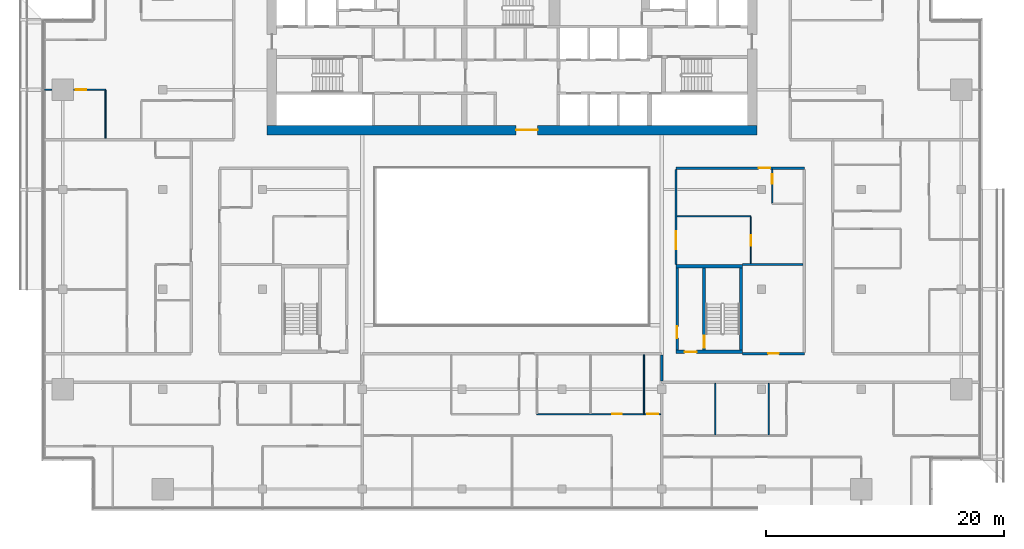
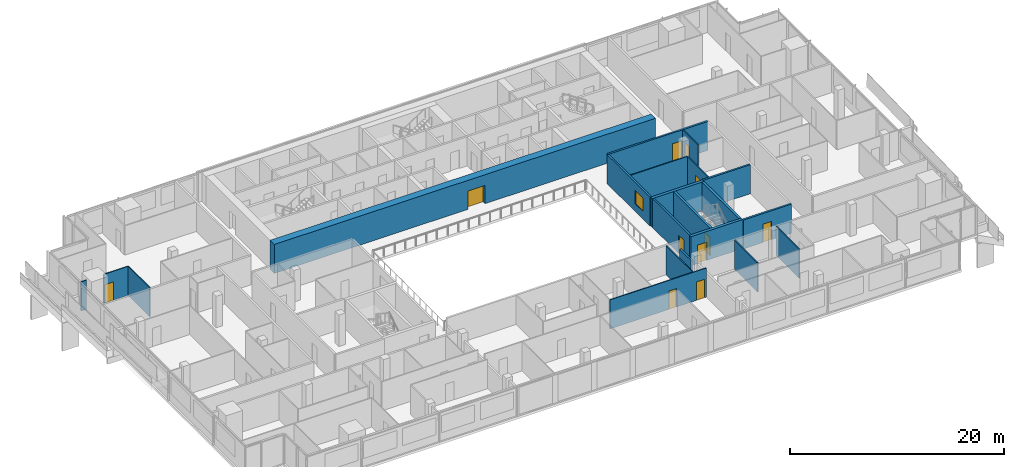
# One storey, part 18 of 27: 21 walls, 11 doors, 1 window, 12 openings.
"""IFC4 building model written with IfcOpenShell, lengths in metres."""

import ifcopenshell
import ifcopenshell.guid

model = None  # the IFC model being written
_history = None  # IfcOwnerHistory: only IFC2X3 demands one
_inside = {}  # id of a spatial element -> (the spatial element, [elements in it])
_under = {}  # id of a project, library or spatial element -> (it, [spatial elements below it])
_declared = {}  # id of a project -> (the project, [libraries it declares])
_typed = {}  # id of a type object -> (the type object, [elements of that type])
_made_of = {}  # id of a material, layer set ... -> (it, [elements and type objects made of it])


def new_model(schema):
    """Start an empty IFC model of exactly this schema.

    Asked for "IFC4X3", IfcOpenShell would pick the latest addendum, in which some entities
    have other attributes; the version numbers below select the first issue.
    IFC2X3 requires an IfcOwnerHistory on every rooted entity: one is made here for all.
    """
    global model, _history
    if schema == "IFC4X3":
        model = ifcopenshell.file(schema_version=(4, 3, 0, 0))
    else:
        model = ifcopenshell.file(schema=schema)
    _inside.clear()
    _under.clear()
    _declared.clear()
    _typed.clear()
    _made_of.clear()
    _history = None
    if model.schema == "IFC2X3":
        org = make("IfcOrganization", Name="unknown")
        user = make(
            "IfcPersonAndOrganization",
            ThePerson=make("IfcPerson", FamilyName="unknown"),
            TheOrganization=org,
        )
        app = make(
            "IfcApplication",
            ApplicationDeveloper=org,
            Version="unknown",
            ApplicationFullName="unknown",
            ApplicationIdentifier="unknown",
        )
        _history = make(
            "IfcOwnerHistory",
            OwningUser=user,
            OwningApplication=app,
            ChangeAction="ADDED",
            CreationDate=0,
        )
    return model


def make(cls, **values):
    """One entity of the class cls with the attributes given. An attribute that is None is left unset."""
    return model.create_entity(
        cls, **{name: value for name, value in values.items() if value is not None}
    )


def rooted(cls, **values):
    """An entity with a GlobalId (a new one), such as an element, a storey or a relation."""
    return make(cls, GlobalId=ifcopenshell.guid.new(), OwnerHistory=_history, **values)


def si_unit(unit_type, name, prefix=None):
    """IfcSIUnit, for example si_unit("LENGTHUNIT", "METRE", prefix="MILLI")."""
    return make("IfcSIUnit", UnitType=unit_type, Prefix=prefix, Name=name)


def assignment(units):
    """IfcUnitAssignment: the units of a project."""
    return None if units is None else make("IfcUnitAssignment", Units=units)


def point(xyz):
    """IfcCartesianPoint."""
    return None if xyz is None else make("IfcCartesianPoint", Coordinates=xyz)


def direction(xyz):
    """IfcDirection."""
    return None if xyz is None else make("IfcDirection", DirectionRatios=xyz)


def frame(location, z_axis=None, x_axis=None):
    """IfcAxis2Placement3D, a coordinate frame: its origin and axes. An axis left out is left unset."""
    return make(
        "IfcAxis2Placement3D",
        Location=point(location),
        Axis=direction(z_axis),
        RefDirection=direction(x_axis),
    )


def frame_2d(location, x_axis=None):
    """IfcAxis2Placement2D, a coordinate frame in the plane: its origin and x axis."""
    return make(
        "IfcAxis2Placement2D", Location=point(location), RefDirection=direction(x_axis)
    )


def origin():
    """The frame at (0, 0, 0) with its axes left unset."""
    return frame((0.0, 0.0, 0.0))


def place(relative_to, where):
    """IfcLocalPlacement: puts the frame where relative to a parent placement (None: the world)."""
    return make(
        "IfcLocalPlacement", PlacementRelTo=relative_to, RelativePlacement=where
    )


def context(
    kind, dimensions, precision=None, world=None, true_north=None, identifier=None
):
    """IfcGeometricRepresentationContext, for example the 3D "Model" context."""
    return make(
        "IfcGeometricRepresentationContext",
        ContextIdentifier=identifier,
        ContextType=kind,
        CoordinateSpaceDimension=dimensions,
        Precision=precision,
        WorldCoordinateSystem=world,
        TrueNorth=true_north,
    )


def subcontext(parent, identifier, kind, view, scale=None):
    """IfcGeometricRepresentationSubContext, for example "Body" below "Model"."""
    return make(
        "IfcGeometricRepresentationSubContext",
        ContextIdentifier=identifier,
        ContextType=kind,
        ParentContext=parent,
        TargetScale=scale,
        TargetView=view,
    )


def project(units=None, contexts=None):
    """IfcProject with its units and contexts."""
    return rooted(
        "IfcProject",
        Name="project",
        RepresentationContexts=contexts,
        UnitsInContext=assignment(units),
    )


def spatial(cls, under=None, at=None, **own):
    """A site, building, storey or space (cls), placed at a placement, below another one or the project."""
    s = rooted(cls, ObjectPlacement=at, **own)
    if under is not None:
        _under.setdefault(under.id(), (under, []))[1].append(s)
    return s


def profile(cls, at=None, kind="AREA", **sizes):
    """A parametric profile (cls). Its sizes go by their IFC names, for example OverallWidth=200.0."""
    return make(cls, ProfileType=kind, Position=at, **sizes)


def rectangle(**sizes):
    """IfcRectangleProfileDef."""
    return profile("IfcRectangleProfileDef", **sizes)


def extrude(swept, where, along, depth):
    """IfcExtrudedAreaSolid: the profile swept, set in the frame where, extruded along a direction by depth."""
    return make(
        "IfcExtrudedAreaSolid",
        SweptArea=swept,
        Position=where,
        ExtrudedDirection=direction(along),
        Depth=depth,
    )


def shape(context_of_items, identifier, shape_type, items):
    """IfcShapeRepresentation: the items that make up one representation, for example the "Body"."""
    return make(
        "IfcShapeRepresentation",
        ContextOfItems=context_of_items,
        RepresentationIdentifier=identifier,
        RepresentationType=shape_type,
        Items=items,
    )


def material(Name=None, Category=None):
    """IfcMaterial."""
    return make("IfcMaterial", Name=Name, Category=Category)


def layer(
    of_material, thickness, ventilated=None, Name=None, Category=None, Priority=None
):
    """IfcMaterialLayer: one layer of a wall or slab, of a material (None: an air gap)."""
    return make(
        "IfcMaterialLayer",
        Material=of_material,
        LayerThickness=thickness,
        IsVentilated=ventilated,
        Name=Name,
        Category=Category,
        Priority=Priority,
    )


def layer_set(layers, Name=None):
    """IfcMaterialLayerSet."""
    return make("IfcMaterialLayerSet", MaterialLayers=layers, LayerSetName=Name)


def made_of(thing, what):
    """Note that an element or type object is made of a material, layer set ...; save() writes the relation."""
    if what is not None:
        _made_of.setdefault(what.id(), (what, []))[1].append(thing)
    return thing


def type_object(cls, material=None, **own):
    """A type object (cls), such as IfcWallType, which elements share."""
    return made_of(rooted(cls, **own), material)


def element(
    cls,
    number,
    at=None,
    inside=None,
    cuts=None,
    type_object=None,
    material=None,
    context=None,
    identifier="Body",
    shape_type=None,
    held_by="IfcProductDefinitionShape",
    body=None,
    shapes=None,
    **own,
):
    """One element of the class cls, such as IfcWall. Its Tag is "e" and its number.

    at: its placement. inside: the storey or other place that contains it. cuts: it is an
    opening in that element (IfcRelVoidsElement). A single representation is given by context,
    identifier, shape_type and body (its items); several are given by shapes. held_by: the class
    of the entity that holds the representations. save() writes the other relations.
    """
    e = rooted(cls, Tag="e%d" % number, ObjectPlacement=at, **own)
    if body is not None:
        shapes = [shape(context, identifier, shape_type, body)]
    if shapes is not None:
        e.Representation = make(held_by, Representations=shapes)
    if inside is not None:
        _inside.setdefault(inside.id(), (inside, []))[1].append(e)
    if cuts is not None:
        rooted(
            "IfcRelVoidsElement", RelatingBuildingElement=cuts, RelatedOpeningElement=e
        )
    if type_object is not None:
        _typed.setdefault(type_object.id(), (type_object, []))[1].append(e)
    return made_of(e, material)


def fill(opening, filler):
    """IfcRelFillsElement: the door or window that sits in an opening."""
    return rooted(
        "IfcRelFillsElement",
        RelatingOpeningElement=opening,
        RelatedBuildingElement=filler,
    )


def aggregate(whole, parts):
    """IfcRelAggregates: a whole, such as a stair, and the parts it consists of."""
    return rooted("IfcRelAggregates", RelatingObject=whole, RelatedObjects=parts)


def save(model, path):
    """Write the relations noted so far, then the file.

    IfcRelAggregates (storeys below a building ...), IfcRelContainedInSpatialStructure (elements
    in a storey), IfcRelDefinesByType, IfcRelAssociatesMaterial and IfcRelDeclares: one each for
    every whole, place, type object, material and project.
    """
    for whole, parts in _under.values():
        aggregate(whole, parts)
    for where, things in _inside.values():
        rooted(
            "IfcRelContainedInSpatialStructure",
            RelatedElements=things,
            RelatingStructure=where,
        )
    for kind, things in _typed.values():
        rooted("IfcRelDefinesByType", RelatedObjects=things, RelatingType=kind)
    for what, things in _made_of.values():
        rooted("IfcRelAssociatesMaterial", RelatedObjects=things, RelatingMaterial=what)
    for by, libraries in _declared.values():
        rooted("IfcRelDeclares", RelatingContext=by, RelatedDefinitions=libraries)
    model.write(path)


model = new_model("IFC4")

# Units and contexts
model_context = context("Model", 3, precision=1e-05, world=origin(), true_north=direction((0.0, 1.0)))
body_context = subcontext(model_context, "Body", "Model", "MODEL_VIEW")
ifc_project = project(units=[si_unit("LENGTHUNIT", "METRE"), si_unit("AREAUNIT", "SQUARE_METRE"), si_unit("VOLUMEUNIT", "CUBIC_METRE"), si_unit("PLANEANGLEUNIT", "RADIAN"), si_unit("MASSUNIT", "GRAM", prefix="KILO")], contexts=[model_context])

# Site, building, storey
site_placement = place(None, origin())
site = spatial("IfcSite", under=ifc_project, at=site_placement, CompositionType="ELEMENT")
building_placement = place(site_placement, origin())
building = spatial("IfcBuilding", under=site, at=building_placement, Name="Saffron Gate Tower", CompositionType="ELEMENT")
storey_placement = place(building_placement, frame((0.0, 0.0, 183.449951171875)))
storey = spatial("IfcBuildingStorey", under=building, at=storey_placement, Name="L45", CompositionType="ELEMENT", Elevation=183.449951171875)

# Wall, opening, door
ifc_material_1 = material(Name="Gypsum board partition on steel studs", Category="steel")
ifc_layer_1 = layer(ifc_material_1, 0.199951171875)
ifc_layer_set_1 = layer_set([ifc_layer_1], Name="CW10 Core partition 200")
wall_type_1 = type_object("IfcWallType", Name="CW10 Core partition 200", PredefinedType="PARTITIONING", material=ifc_layer_set_1)
wall_1_placement = place(storey_placement, frame((101.5, 43.5, 0.0), z_axis=(0.0, 0.0, 1.0), x_axis=(0.0, 1.0, 0.0)))
wall_1 = element("IfcWall", 1, at=wall_1_placement, inside=storey, type_object=wall_type_1, Name="Wall CW10-L45-E-2", PredefinedType="PARTITIONING", context=body_context, shape_type="SweptSolid", body=[
    extrude(rectangle(XDim=6.89990234375, YDim=0.199951171875, at=frame_2d((3.449951171875, 0.0))), origin(), (0.0, 0.0, 1.0), 3.320068359375),
])
opening_1_placement = place(wall_1_placement, frame((1.0, 0.0, 0.0)))
opening_1 = element("IfcOpeningElement", 2, at=opening_1_placement, cuts=wall_1, Name="Opening CR-22", PredefinedType="OPENING", context=body_context, shape_type="SweptSolid", body=[
    extrude(rectangle(XDim=1.0, YDim=2.10009765625, at=frame_2d((0.5, 1.050048828125))), frame((0.0, 0.10986328125, 0.0), z_axis=(0.0, -1.0, 0.0), x_axis=(1.0, 0.0, 0.0)), (0.0, 0.0, 1.0), 0.219970703125),
])
ifc_material_2 = material(Name="Steel fire door set", Category="steel")
door_type_1 = type_object("IfcDoorType", Name="CD4 Lobby door 1000x2100 EI 120", OperationType="NOTDEFINED", PredefinedType="DOOR", material=ifc_material_2)
door_1_placement = place(opening_1_placement, origin())
door_1 = element("IfcDoor", 3, at=door_1_placement, inside=storey, type_object=door_type_1, Name="DOOR CR-22", OperationType="SINGLE_SWING_LEFT", OverallHeight=2.10009765625, OverallWidth=1.0, PredefinedType="DOOR", context=body_context, shape_type="SweptSolid", body=[
    extrude(rectangle(XDim=1.0, YDim=2.10009765625, at=frame_2d((0.5, 1.050048828125))), frame((0.0, 0.02490234375, 0.0), z_axis=(0.0, -1.0, 0.0), x_axis=(1.0, 0.0, 0.0)), (0.0, 0.0, 1.0), 0.050048828125),
])
fill(opening_1, door_1)

ifc_material_3 = material(Name="Concrete C60", Category="concrete")
ifc_layer_2 = layer(ifc_material_3, 0.800048828125)
ifc_layer_set_2 = layer_set([ifc_layer_2], Name="CW13 RC core wall 800 C60")
wall_type_2 = type_object("IfcWallType", Name="CW13 RC core wall 800 C60", PredefinedType="SOLIDWALL", material=ifc_layer_set_2)
wall_2_placement = place(storey_placement, frame((67.0, 62.0, 0.0), z_axis=(0.0, 0.0, 1.0), x_axis=(1.0, 0.0, 0.0)))
wall_2 = element("IfcWall", 4, at=wall_2_placement, inside=storey, type_object=wall_type_2, Name="Wall CW13-L45-1", PredefinedType="SOLIDWALL", context=body_context, shape_type="SweptSolid", body=[
    extrude(rectangle(XDim=41.199951171875, YDim=0.800048828125, at=frame_2d((20.60009765625, 0.0))), origin(), (0.0, 0.0, 1.0), 3.320068359375),
])
opening_2_placement = place(wall_2_placement, frame((20.949951171875, 0.0, 0.0)))
opening_2 = element("IfcOpeningElement", 5, at=opening_2_placement, cuts=wall_2, Name="Opening CR-09", PredefinedType="OPENING", context=body_context, shape_type="SweptSolid", body=[
    extrude(rectangle(XDim=1.800048828125, YDim=2.10009765625, at=frame_2d((0.89990234375, 1.050048828125))), frame((0.0, 0.41015625, 0.0), z_axis=(0.0, -1.0, 0.0), x_axis=(1.0, 0.0, 0.0)), (0.0, 0.0, 1.0), 0.820068359375),
])
door_type_2 = type_object("IfcDoorType", Name="CD1 Core entrance door 1800x2100 EI 120", OperationType="NOTDEFINED", PredefinedType="DOOR", material=ifc_material_2)
door_2_placement = place(opening_2_placement, origin())
door_2 = element("IfcDoor", 6, at=door_2_placement, inside=storey, type_object=door_type_2, Name="DOOR CR-09", OperationType="DOUBLE_DOOR_SINGLE_SWING", OverallHeight=2.10009765625, OverallWidth=1.800048828125, PredefinedType="DOOR", context=body_context, shape_type="SweptSolid", body=[
    extrude(rectangle(XDim=1.800048828125, YDim=2.10009765625, at=frame_2d((0.89990234375, 1.050048828125))), frame((0.0, 0.02490234375, 0.0), z_axis=(0.0, -1.0, 0.0), x_axis=(1.0, 0.0, 0.0)), (0.0, 0.0, 1.0), 0.050048828125),
])
fill(opening_2, door_2)

ifc_layer_3 = layer(ifc_material_3, 0.25)
ifc_layer_set_3 = layer_set([ifc_layer_3], Name="CW14 RC core wall 250 C60")
wall_type_3 = type_object("IfcWallType", Name="CW14 RC core wall 250 C60", PredefinedType="SOLIDWALL", material=ifc_layer_set_3)
wall_3_placement = place(storey_placement, frame((103.77490234375, 43.5, 0.0), z_axis=(0.0, 0.0, 1.0), x_axis=(0.0, 1.0, 0.0)))
wall_3 = element("IfcWall", 7, at=wall_3_placement, inside=storey, type_object=wall_type_3, Name="Wall CW14-L45-E-3", PredefinedType="SOLIDWALL", context=body_context, shape_type="SweptSolid", body=[
    extrude(rectangle(XDim=6.89990234375, YDim=0.25, at=frame_2d((3.449951171875, 0.0))), origin(), (0.0, 0.0, 1.0), 3.320068359375),
])
opening_3_placement = place(wall_3_placement, frame((0.199951171875, 0.0, 0.0)))
opening_3 = element("IfcOpeningElement", 8, at=opening_3_placement, cuts=wall_3, Name="Opening CR-23", PredefinedType="OPENING", context=body_context, shape_type="SweptSolid", body=[
    extrude(rectangle(XDim=1.0, YDim=2.10009765625, at=frame_2d((0.5, 1.050048828125))), frame((0.0, 0.135009765625, 0.0), z_axis=(0.0, -1.0, 0.0), x_axis=(1.0, 0.0, 0.0)), (0.0, 0.0, 1.0), 0.27001953125),
])
door_type_3 = type_object("IfcDoorType", Name="CD5 Stair door 1000x2100 EI 120", OperationType="NOTDEFINED", PredefinedType="DOOR", material=ifc_material_2)
door_3_placement = place(opening_3_placement, origin())
door_3 = element("IfcDoor", 9, at=door_3_placement, inside=storey, type_object=door_type_3, Name="DOOR CR-23", OperationType="SINGLE_SWING_RIGHT", OverallHeight=2.10009765625, OverallWidth=1.0, PredefinedType="DOOR", context=body_context, shape_type="SweptSolid", body=[
    extrude(rectangle(XDim=1.0, YDim=2.10009765625, at=frame_2d((0.5, 1.050048828125))), frame((0.0, 0.02490234375, 0.0), z_axis=(0.0, -1.0, 0.0), x_axis=(1.0, 0.0, 0.0)), (0.0, 0.0, 1.0), 0.050048828125),
])
fill(opening_3, door_3)

# Wall
wall_4_placement = place(storey_placement, frame((106.875, 43.5, 0.0), z_axis=(0.0, 0.0, 1.0), x_axis=(0.0, 1.0, 0.0)))
element("IfcWall", 10, at=wall_4_placement, inside=storey, type_object=wall_type_3, Name="Wall CW14-L45-E-4", PredefinedType="SOLIDWALL", context=body_context, shape_type="SweptSolid", body=[
    extrude(rectangle(XDim=6.89990234375, YDim=0.25, at=frame_2d((3.449951171875, 0.0))), origin(), (0.0, 0.0, 1.0), 3.320068359375),
])

# Wall, opening, door
ifc_layer_4 = layer(ifc_material_3, 0.300048828125)
ifc_layer_set_4 = layer_set([ifc_layer_4], Name="CW17 RC core wall 300 C60")
wall_type_4 = type_object("IfcWallType", Name="CW17 RC core wall 300 C60", PredefinedType="SOLIDWALL", material=ifc_layer_set_4)
wall_5_placement = place(storey_placement, frame((101.39990234375, 43.35009765625, 0.0), z_axis=(0.0, 0.0, 1.0), x_axis=(1.0, 0.0, 0.0)))
wall_5 = element("IfcWall", 11, at=wall_5_placement, inside=storey, type_object=wall_type_4, Name="Wall CW17-L45-E-1", PredefinedType="SOLIDWALL", context=body_context, shape_type="SweptSolid", body=[
    extrude(rectangle(XDim=5.60009765625, YDim=0.300048828125, at=frame_2d((2.800048828125, 0.0))), origin(), (0.0, 0.0, 1.0), 3.320068359375),
])
opening_4_placement = place(wall_5_placement, frame((0.72509765625, 0.0, 0.0)))
opening_4 = element("IfcOpeningElement", 12, at=opening_4_placement, cuts=wall_5, Name="Opening CR-21", PredefinedType="OPENING", context=body_context, shape_type="SweptSolid", body=[
    extrude(rectangle(XDim=1.0, YDim=2.10009765625, at=frame_2d((0.5, 1.050048828125))), frame((0.0, 0.16015625, 0.0), z_axis=(0.0, -1.0, 0.0), x_axis=(1.0, 0.0, 0.0)), (0.0, 0.0, 1.0), 0.320068359375),
])
door_4_placement = place(opening_4_placement, origin())
door_4 = element("IfcDoor", 13, at=door_4_placement, inside=storey, type_object=door_type_1, Name="DOOR CR-21", OperationType="SINGLE_SWING_RIGHT", OverallHeight=2.10009765625, OverallWidth=1.0, PredefinedType="DOOR", context=body_context, shape_type="SweptSolid", body=[
    extrude(rectangle(XDim=1.0, YDim=2.10009765625, at=frame_2d((0.5, 1.050048828125))), frame((0.0, 0.02490234375, 0.0), z_axis=(0.0, -1.0, 0.0), x_axis=(1.0, 0.0, 0.0)), (0.0, 0.0, 1.0), 0.050048828125),
])
fill(opening_4, door_4)

# Wall
wall_6_placement = place(storey_placement, frame((101.39990234375, 50.550048828125, 0.0), z_axis=(0.0, 0.0, 1.0), x_axis=(1.0, 0.0, 0.0)))
element("IfcWall", 14, at=wall_6_placement, inside=storey, type_object=wall_type_4, Name="Wall CW17-L45-E-5", PredefinedType="SOLIDWALL", context=body_context, shape_type="SweptSolid", body=[
    extrude(rectangle(XDim=5.60009765625, YDim=0.300048828125, at=frame_2d((2.800048828125, 0.0))), origin(), (0.0, 0.0, 1.0), 3.320068359375),
])

# Wall, openings, doors
ifc_material_4 = material(Name="Plasterboard on steel studs", Category="steel")
ifc_layer_5 = layer(ifc_material_4, 0.10009765625)
ifc_layer_set_5 = layer_set([ifc_layer_5], Name="PW1 Partition 100")
wall_type_5 = type_object("IfcWallType", Name="PW1 Partition 100", PredefinedType="PARTITIONING", material=ifc_layer_set_5)
wall_7_placement = place(storey_placement, frame((89.699951171875, 38.10009765625, 0.0), z_axis=(0.0, 0.0, 1.0), x_axis=(1.0, 0.0, 0.0)))
wall_7 = element("IfcWall", 15, at=wall_7_placement, inside=storey, type_object=wall_type_5, Name="Partition C4-11", PredefinedType="PARTITIONING", context=body_context, shape_type="SweptSolid", body=[
    extrude(rectangle(XDim=10.400146484375, YDim=0.10009765625, at=frame_2d((5.2001953125, 0.0))), origin(), (0.0, 0.0, 1.0), 3.320068359375),
])
opening_5_placement = place(wall_7_placement, frame((6.35009765625, 0.0, 0.0)))
opening_5 = element("IfcOpeningElement", 16, at=opening_5_placement, cuts=wall_7, Name="Opening C4-43", PredefinedType="OPENING", context=body_context, shape_type="SweptSolid", body=[
    extrude(rectangle(XDim=0.800048828125, YDim=2.10009765625, at=frame_2d((0.39990234375, 1.050048828125))), frame((0.0, 0.06005859375, 0.0), z_axis=(0.0, -1.0, 0.0), x_axis=(1.0, 0.0, 0.0)), (0.0, 0.0, 1.0), 0.1201171875),
])
opening_6_placement = place(wall_7_placement, frame((9.300048828125, 0.0, 0.0)))
opening_6 = element("IfcOpeningElement", 17, at=opening_6_placement, cuts=wall_7, Name="Opening C4-19", PredefinedType="OPENING", context=body_context, shape_type="SweptSolid", body=[
    extrude(rectangle(XDim=0.89990234375, YDim=2.10009765625, at=frame_2d((0.449951171875, 1.050048828125))), frame((0.0, 0.06005859375, 0.0), z_axis=(0.0, -1.0, 0.0), x_axis=(1.0, 0.0, 0.0)), (0.0, 0.0, 1.0), 0.1201171875),
])
ifc_material_5 = material(Name="Timber door set", Category="wood")
door_type_4 = type_object("IfcDoorType", Name="RD1 Room door 900x2100", OperationType="NOTDEFINED", PredefinedType="DOOR", material=ifc_material_5)
door_5_placement = place(opening_6_placement, origin())
door_5 = element("IfcDoor", 18, at=door_5_placement, inside=storey, type_object=door_type_4, Name="Door C4-19", OperationType="SINGLE_SWING_RIGHT", OverallHeight=2.10009765625, OverallWidth=0.89990234375, PredefinedType="DOOR", context=body_context, shape_type="SweptSolid", body=[
    extrude(rectangle(XDim=0.89990234375, YDim=2.10009765625, at=frame_2d((0.449951171875, 1.050048828125))), frame((0.0, 0.02490234375, 0.0), z_axis=(0.0, -1.0, 0.0), x_axis=(1.0, 0.0, 0.0)), (0.0, 0.0, 1.0), 0.050048828125),
])
fill(opening_6, door_5)
door_type_5 = type_object("IfcDoorType", Name="RD2 Bathroom door 800x2100", OperationType="NOTDEFINED", PredefinedType="DOOR", material=ifc_material_5)
door_6_placement = place(opening_5_placement, origin())
door_6 = element("IfcDoor", 19, at=door_6_placement, inside=storey, type_object=door_type_5, Name="Door C4-43", OperationType="SINGLE_SWING_LEFT", OverallHeight=2.10009765625, OverallWidth=0.800048828125, PredefinedType="DOOR", context=body_context, shape_type="SweptSolid", body=[
    extrude(rectangle(XDim=0.800048828125, YDim=2.10009765625, at=frame_2d((0.39990234375, 1.050048828125))), frame((0.0, 0.02490234375, 0.0), z_axis=(0.0, -1.0, 0.0), x_axis=(1.0, 0.0, 0.0)), (0.0, 0.0, 1.0), 0.050048828125),
])
fill(opening_5, door_6)

# Walls
wall_8_placement = place(storey_placement, frame((101.5, 54.75, 0.0), z_axis=(0.0, 0.0, 1.0), x_axis=(1.0, 0.0, 0.0)))
element("IfcWall", 20, at=wall_8_placement, inside=storey, type_object=wall_type_5, Name="Partition C4-33", PredefinedType="PARTITIONING", context=body_context, shape_type="SweptSolid", body=[
    extrude(rectangle(XDim=6.199951171875, YDim=0.10009765625, at=frame_2d((3.10009765625, 0.0))), origin(), (0.0, 0.0, 1.0), 3.320068359375),
])
wall_9_placement = place(storey_placement, frame((48.280029296875, 65.39990234375, 0.0), z_axis=(0.0, 0.0, 1.0), x_axis=(1.0, 0.0, 0.0)))
element("IfcWall", 21, at=wall_9_placement, inside=storey, type_object=wall_type_5, Name="Partition C4-49", PredefinedType="PARTITIONING", context=body_context, shape_type="SweptSolid", body=[
    extrude(rectangle(XDim=0.599853515625, YDim=0.10009765625, at=frame_2d((0.2998046875, 0.0))), origin(), (0.0, 0.0, 1.0), 3.320068359375),
])

# Wall, opening, door
wall_10_placement = place(storey_placement, frame((53.39990234375, 65.39990234375, 0.0), z_axis=(0.0, 0.0, 1.0), x_axis=(-1.0, 0.0, 0.0)))
wall_10 = element("IfcWall", 22, at=wall_10_placement, inside=storey, type_object=wall_type_5, Name="Partition C4-50", PredefinedType="PARTITIONING", context=body_context, shape_type="SweptSolid", body=[
    extrude(rectangle(XDim=2.679931640625, YDim=0.10009765625, at=frame_2d((1.33984375, 0.0))), origin(), (0.0, 0.0, 1.0), 3.320068359375),
])
opening_7_placement = place(wall_10_placement, frame((1.6298828125, 0.0, 0.0)))
opening_7 = element("IfcOpeningElement", 23, at=opening_7_placement, cuts=wall_10, Name="Opening C4-29", PredefinedType="OPENING", context=body_context, shape_type="SweptSolid", body=[
    extrude(rectangle(XDim=0.89990234375, YDim=2.10009765625, at=frame_2d((0.449951171875, 1.050048828125))), frame((0.0, 0.06005859375, 0.0), z_axis=(0.0, -1.0, 0.0), x_axis=(1.0, 0.0, 0.0)), (0.0, 0.0, 1.0), 0.1201171875),
])
door_7_placement = place(opening_7_placement, origin())
door_7 = element("IfcDoor", 24, at=door_7_placement, inside=storey, type_object=door_type_4, Name="Door C4-29", OperationType="SINGLE_SWING_RIGHT", OverallHeight=2.10009765625, OverallWidth=0.89990234375, PredefinedType="DOOR", context=body_context, shape_type="SweptSolid", body=[
    extrude(rectangle(XDim=0.89990234375, YDim=2.10009765625, at=frame_2d((0.449951171875, 1.050048828125))), frame((0.0, 0.02490234375, 0.0), z_axis=(0.0, -1.0, 0.0), x_axis=(1.0, 0.0, 0.0)), (0.0, 0.0, 1.0), 0.050048828125),
])
fill(opening_7, door_7)

# Walls
wall_11_placement = place(storey_placement, frame((53.39990234375, 65.35009765625, 0.0), z_axis=(0.0, 0.0, 1.0), x_axis=(0.0, -1.0, 0.0)))
element("IfcWall", 25, at=wall_11_placement, inside=storey, type_object=wall_type_5, Name="Partition C4-57", PredefinedType="PARTITIONING", context=body_context, shape_type="SweptSolid", body=[
    extrude(rectangle(XDim=4.050048828125, YDim=0.10009765625, at=frame_2d((2.02490234375, 0.0))), origin(), (0.0, 0.0, 1.0), 3.320068359375),
])
wall_12_placement = place(storey_placement, frame((98.699951171875, 43.10009765625, 0.0), z_axis=(0.0, 0.0, 1.0), x_axis=(0.0, -1.0, 0.0)))
element("IfcWall", 26, at=wall_12_placement, inside=storey, type_object=wall_type_5, Name="Partition C4-89", PredefinedType="PARTITIONING", context=body_context, shape_type="SweptSolid", body=[
    extrude(rectangle(XDim=4.9501953125, YDim=0.10009765625, at=frame_2d((2.47509765625, 0.0))), origin(), (0.0, 0.0, 1.0), 3.320068359375),
])
wall_13_placement = place(storey_placement, frame((104.699951171875, 40.699951171875, 0.0), z_axis=(0.0, 0.0, 1.0), x_axis=(0.0, -1.0, 0.0)))
element("IfcWall", 27, at=wall_13_placement, inside=storey, type_object=wall_type_5, Name="Partition C4-95", PredefinedType="PARTITIONING", context=body_context, shape_type="SweptSolid", body=[
    extrude(rectangle(XDim=4.349853515625, YDim=0.10009765625, at=frame_2d((2.1748046875, 0.0))), origin(), (0.0, 0.0, 1.0), 3.320068359375),
])

# Wall, opening, door
wall_14_placement = place(storey_placement, frame((107.699951171875, 50.800048828125, 0.0), z_axis=(0.0, 0.0, 1.0), x_axis=(0.0, 1.0, 0.0)))
wall_14 = element("IfcWall", 28, at=wall_14_placement, inside=storey, type_object=wall_type_5, Name="Partition C4-96", PredefinedType="PARTITIONING", context=body_context, shape_type="SweptSolid", body=[
    extrude(rectangle(XDim=3.89990234375, YDim=0.10009765625, at=frame_2d((1.949951171875, 0.0))), origin(), (0.0, 0.0, 1.0), 3.320068359375),
])
opening_8_placement = place(wall_14_placement, frame((1.47509765625, 0.0, 0.0)))
opening_8 = element("IfcOpeningElement", 29, at=opening_8_placement, cuts=wall_14, Name="Opening C4-39", PredefinedType="OPENING", context=body_context, shape_type="SweptSolid", body=[
    extrude(rectangle(XDim=0.89990234375, YDim=2.10009765625, at=frame_2d((0.449951171875, 1.050048828125))), frame((0.0, 0.06005859375, 0.0), z_axis=(0.0, -1.0, 0.0), x_axis=(1.0, 0.0, 0.0)), (0.0, 0.0, 1.0), 0.1201171875),
])
door_8_placement = place(opening_8_placement, origin())
door_8 = element("IfcDoor", 30, at=door_8_placement, inside=storey, type_object=door_type_4, Name="Door C4-39", OperationType="SINGLE_SWING_LEFT", OverallHeight=2.10009765625, OverallWidth=0.89990234375, PredefinedType="DOOR", context=body_context, shape_type="SweptSolid", body=[
    extrude(rectangle(XDim=0.89990234375, YDim=2.10009765625, at=frame_2d((0.449951171875, 1.050048828125))), frame((0.0, 0.02490234375, 0.0), z_axis=(0.0, -1.0, 0.0), x_axis=(1.0, 0.0, 0.0)), (0.0, 0.0, 1.0), 0.050048828125),
])
fill(opening_8, door_8)

# Wall
wall_15_placement = place(storey_placement, frame((109.199951171875, 40.699951171875, 0.0), z_axis=(0.0, 0.0, 1.0), x_axis=(0.0, -1.0, 0.0)))
element("IfcWall", 31, at=wall_15_placement, inside=storey, type_object=wall_type_5, Name="Partition C4-97", PredefinedType="PARTITIONING", context=body_context, shape_type="SweptSolid", body=[
    extrude(rectangle(XDim=4.349853515625, YDim=0.10009765625, at=frame_2d((2.1748046875, 0.0))), origin(), (0.0, 0.0, 1.0), 3.320068359375),
])

# Wall, opening, door
wall_16_placement = place(storey_placement, frame((109.5, 58.699951171875, 0.0), z_axis=(0.0, 0.0, 1.0), x_axis=(0.0, -1.0, 0.0)))
wall_16 = element("IfcWall", 32, at=wall_16_placement, inside=storey, type_object=wall_type_5, Name="Partition C4-98", PredefinedType="PARTITIONING", context=body_context, shape_type="SweptSolid", body=[
    extrude(rectangle(XDim=2.849853515625, YDim=0.10009765625, at=frame_2d((1.4248046875, 0.0))), origin(), (0.0, 0.0, 1.0), 3.320068359375),
])
opening_9_placement = place(wall_16_placement, frame((0.39990234375, 0.0, 0.0)))
opening_9 = element("IfcOpeningElement", 33, at=opening_9_placement, cuts=wall_16, Name="Opening C4-53", PredefinedType="OPENING", context=body_context, shape_type="SweptSolid", body=[
    extrude(rectangle(XDim=0.800048828125, YDim=2.10009765625, at=frame_2d((0.39990234375, 1.050048828125))), frame((0.0, 0.06005859375, 0.0), z_axis=(0.0, -1.0, 0.0), x_axis=(1.0, 0.0, 0.0)), (0.0, 0.0, 1.0), 0.1201171875),
])
door_9_placement = place(opening_9_placement, origin())
door_9 = element("IfcDoor", 34, at=door_9_placement, inside=storey, type_object=door_type_5, Name="Door C4-53", OperationType="SINGLE_SWING_LEFT", OverallHeight=2.10009765625, OverallWidth=0.800048828125, PredefinedType="DOOR", context=body_context, shape_type="SweptSolid", body=[
    extrude(rectangle(XDim=0.800048828125, YDim=2.10009765625, at=frame_2d((0.39990234375, 1.050048828125))), frame((0.0, 0.02490234375, 0.0), z_axis=(0.0, -1.0, 0.0), x_axis=(1.0, 0.0, 0.0)), (0.0, 0.0, 1.0), 0.050048828125),
])
fill(opening_9, door_9)

# Wall
ifc_material_6 = material(Name="Clay brick masonry, rendered", Category="masonry")
ifc_layer_6 = layer(ifc_material_6, 0.199951171875)
ifc_layer_set_6 = layer_set([ifc_layer_6], Name="PW2 Demising wall 200")
wall_type_6 = type_object("IfcWallType", Name="PW2 Demising wall 200", PredefinedType="PARTITIONING", material=ifc_layer_set_6)
wall_17_placement = place(storey_placement, frame((107.0, 50.699951171875, 0.0), z_axis=(0.0, 0.0, 1.0), x_axis=(1.0, 0.0, 0.0)))
element("IfcWall", 35, at=wall_17_placement, inside=storey, type_object=wall_type_6, Name="Wall C4-28", PredefinedType="PARTITIONING", context=body_context, shape_type="SweptSolid", body=[
    extrude(rectangle(XDim=5.10009765625, YDim=0.199951171875, at=frame_2d((2.550048828125, 0.0))), origin(), (0.0, 0.0, 1.0), 3.320068359375),
])

# Wall, opening, door
ifc_layer_7 = layer(ifc_material_6, 0.199951171875)
ifc_layer_set_7 = layer_set([ifc_layer_7], Name="PW3 Corridor wall 200")
wall_type_7 = type_object("IfcWallType", Name="PW3 Corridor wall 200", PredefinedType="PARTITIONING", material=ifc_layer_set_7)
wall_18_placement = place(storey_placement, frame((107.0, 43.199951171875, 0.0), z_axis=(0.0, 0.0, 1.0), x_axis=(1.0, 0.0, 0.0)))
wall_18 = element("IfcWall", 36, at=wall_18_placement, inside=storey, type_object=wall_type_7, Name="Wall C4-19", PredefinedType="PARTITIONING", context=body_context, shape_type="SweptSolid", body=[
    extrude(rectangle(XDim=5.199951171875, YDim=0.199951171875, at=frame_2d((2.60009765625, 0.0))), origin(), (0.0, 0.0, 1.0), 3.320068359375),
])
opening_10_placement = place(wall_18_placement, frame((2.14990234375, 0.0, 0.0)))
opening_10 = element("IfcOpeningElement", 37, at=opening_10_placement, cuts=wall_18, Name="Opening C4-54", PredefinedType="OPENING", context=body_context, shape_type="SweptSolid", body=[
    extrude(rectangle(XDim=0.89990234375, YDim=2.10009765625, at=frame_2d((0.449951171875, 1.050048828125))), frame((0.0, 0.10986328125, 0.0), z_axis=(0.0, -1.0, 0.0), x_axis=(1.0, 0.0, 0.0)), (0.0, 0.0, 1.0), 0.219970703125),
])
door_type_6 = type_object("IfcDoorType", Name="SD1 Service door 900x2100", OperationType="NOTDEFINED", PredefinedType="DOOR", material=ifc_material_2)
door_10_placement = place(opening_10_placement, origin())
door_10 = element("IfcDoor", 38, at=door_10_placement, inside=storey, type_object=door_type_6, Name="Door C4-54", OperationType="SINGLE_SWING_LEFT", OverallHeight=2.10009765625, OverallWidth=0.89990234375, PredefinedType="DOOR", context=body_context, shape_type="SweptSolid", body=[
    extrude(rectangle(XDim=0.89990234375, YDim=2.10009765625, at=frame_2d((0.449951171875, 1.050048828125))), frame((0.0, 0.02490234375, 0.0), z_axis=(0.0, -1.0, 0.0), x_axis=(1.0, 0.0, 0.0)), (0.0, 0.0, 1.0), 0.050048828125),
])
fill(opening_10, door_10)

wall_19_placement = place(storey_placement, frame((112.199951171875, 58.800048828125, 0.0), z_axis=(0.0, 0.0, 1.0), x_axis=(-1.0, 0.0, 0.0)))
wall_19 = element("IfcWall", 39, at=wall_19_placement, inside=storey, type_object=wall_type_7, Name="Wall C4-40", PredefinedType="PARTITIONING", context=body_context, shape_type="SweptSolid", body=[
    extrude(rectangle(XDim=10.800048828125, YDim=0.199951171875, at=frame_2d((5.39990234375, 0.0))), origin(), (0.0, 0.0, 1.0), 3.320068359375),
])
opening_11_placement = place(wall_19_placement, frame((2.85009765625, 0.0, 0.0)))
opening_11 = element("IfcOpeningElement", 40, at=opening_11_placement, cuts=wall_19, Name="Opening C4-9", PredefinedType="OPENING", context=body_context, shape_type="SweptSolid", body=[
    extrude(rectangle(XDim=1.0, YDim=2.10009765625, at=frame_2d((0.5, 1.050048828125))), frame((0.0, 0.10986328125, 0.0), z_axis=(0.0, -1.0, 0.0), x_axis=(1.0, 0.0, 0.0)), (0.0, 0.0, 1.0), 0.219970703125),
])
ifc_material_7 = material(Name="Timber fire door set", Category="wood")
door_type_7 = type_object("IfcDoorType", Name="FD1 Flat entry door 1000x2100", OperationType="NOTDEFINED", PredefinedType="DOOR", material=ifc_material_7)
door_11_placement = place(opening_11_placement, origin())
door_11 = element("IfcDoor", 41, at=door_11_placement, inside=storey, type_object=door_type_7, Name="Door C4-9", OperationType="SINGLE_SWING_LEFT", OverallHeight=2.10009765625, OverallWidth=1.0, PredefinedType="DOOR", context=body_context, shape_type="SweptSolid", body=[
    extrude(rectangle(XDim=1.0, YDim=2.10009765625, at=frame_2d((0.5, 1.050048828125))), frame((0.0, 0.02490234375, 0.0), z_axis=(0.0, -1.0, 0.0), x_axis=(1.0, 0.0, 0.0)), (0.0, 0.0, 1.0), 0.050048828125),
])
fill(opening_11, door_11)

# Wall
wall_20_placement = place(storey_placement, frame((100.199951171875, 43.10009765625, 0.0), z_axis=(0.0, 0.0, 1.0), x_axis=(0.0, -1.0, 0.0)))
element("IfcWall", 42, at=wall_20_placement, inside=storey, type_object=wall_type_7, Name="Wall C4-90", PredefinedType="PARTITIONING", context=body_context, shape_type="SweptSolid", body=[
    extrude(rectangle(XDim=2.2001953125, YDim=0.199951171875, at=frame_2d((1.10009765625, 0.0))), origin(), (0.0, 0.0, 1.0), 2.429931640625),
])

# Wall, opening, window
wall_21_placement = place(storey_placement, frame((101.39990234375, 58.699951171875, 0.0), z_axis=(0.0, 0.0, 1.0), x_axis=(0.0, -1.0, 0.0)))
wall_21 = element("IfcWall", 43, at=wall_21_placement, inside=storey, type_object=wall_type_7, Name="Wall C4-93", PredefinedType="PARTITIONING", context=body_context, shape_type="SweptSolid", body=[
    extrude(rectangle(XDim=8.0, YDim=0.199951171875, at=frame_2d((4.0, 0.0))), origin(), (0.0, 0.0, 1.0), 3.320068359375),
])
opening_12_placement = place(wall_21_placement, frame((5.22509765625, 0.0, 0.89990234375)))
opening_12 = element("IfcOpeningElement", 44, at=opening_12_placement, cuts=wall_21, Name="Opening GW1", PredefinedType="OPENING", context=body_context, shape_type="SweptSolid", body=[
    extrude(rectangle(XDim=1.5, YDim=1.5, at=frame_2d((0.75, 0.75))), frame((0.0, 0.10986328125, 0.0), z_axis=(0.0, -1.0, 0.0), x_axis=(1.0, 0.0, 0.0)), (0.0, 0.0, 1.0), 0.219970703125),
])
ifc_material_8 = material(Name="Fire-resisting laminated glass in steel frame", Category="steel")
ifc_layer_8 = layer(ifc_material_8, 0.06005859375)
ifc_layer_set_8 = layer_set([ifc_layer_8], Name="GW1 Gallery window 1500x1500")
window_type = type_object("IfcWindowType", Name="GW1 Gallery window 1500x1500", PartitioningType="SINGLE_PANEL", PredefinedType="WINDOW", material=ifc_layer_set_8)
window_placement = place(opening_12_placement, origin())
window = element("IfcWindow", 45, at=window_placement, inside=storey, type_object=window_type, Name="GW1 window C4-J-B1", OverallHeight=1.5, OverallWidth=1.5, PartitioningType="SINGLE_PANEL", PredefinedType="WINDOW", context=body_context, shape_type="SweptSolid", body=[
    extrude(rectangle(XDim=1.5, YDim=1.5, at=frame_2d((0.75, 0.75))), frame((0.0, 0.030029296875, 0.0), z_axis=(0.0, -1.0, 0.0), x_axis=(1.0, 0.0, 0.0)), (0.0, 0.0, 1.0), 0.06005859375),
])
fill(opening_12, window)

save(model, "model.ifc")
